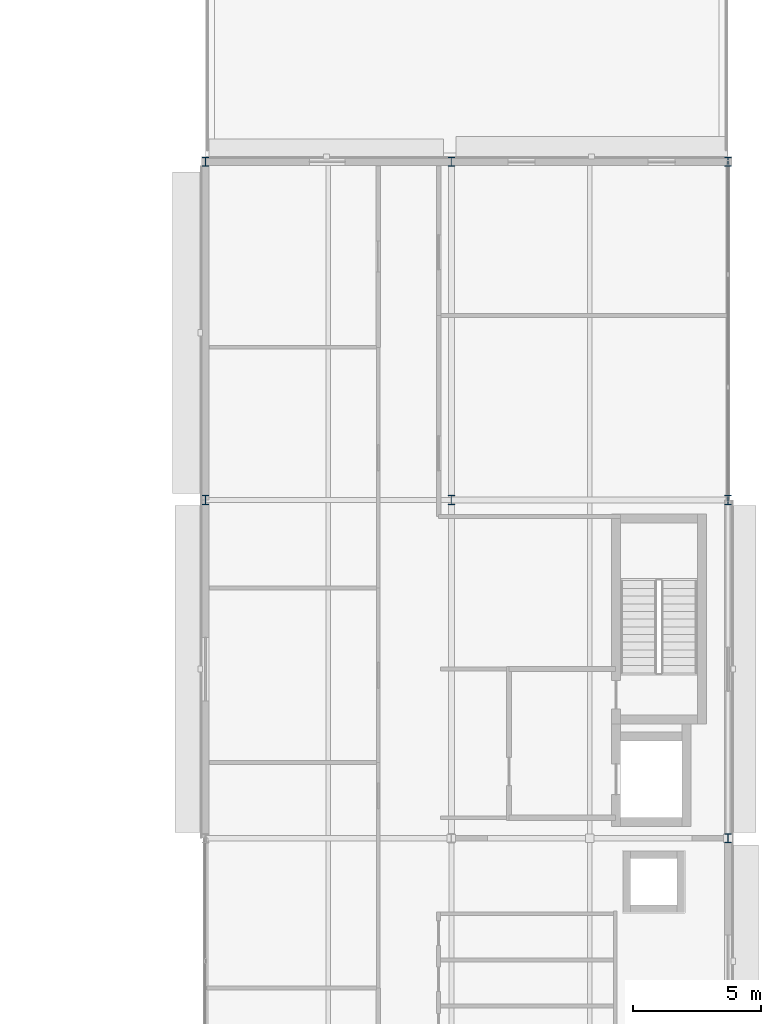
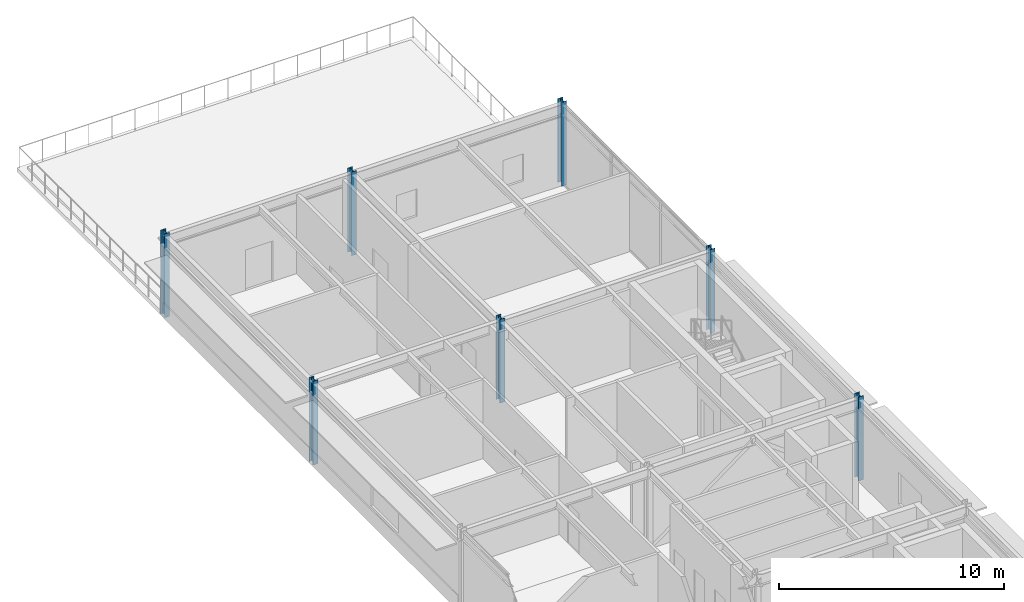
# One storey, part 2 of 22: 7 columns.
"""IFC4 building model written with IfcOpenShell, lengths in metres."""

from ifc_helpers import new_model, si_unit, direction, frame, origin, origin_2d, place, context, subcontext, project, spatial, i_section, extrude, material, material_profile, profile_set, type_object, element, save


model = new_model("IFC4")

# Units and contexts
model_context = context("Model", 3, precision=1e-05, world=origin(), true_north=direction((0.0, 1.0)))
body_context = subcontext(model_context, "Body", "Model", "MODEL_VIEW")
ifc_project = project(units=[si_unit("LENGTHUNIT", "METRE"), si_unit("AREAUNIT", "SQUARE_METRE"), si_unit("VOLUMEUNIT", "CUBIC_METRE"), si_unit("PLANEANGLEUNIT", "RADIAN"), si_unit("MASSUNIT", "GRAM", prefix="KILO")], contexts=[model_context])

# Site, building, storey
site_placement = place(None, origin())
site = spatial("IfcSite", under=ifc_project, at=site_placement, CompositionType="ELEMENT")
building_placement = place(site_placement, origin())
building = spatial("IfcBuilding", under=site, at=building_placement, Name="Almandine Court Research Institute", CompositionType="ELEMENT")
storey_placement = place(building_placement, frame((0.0, 0.0, 28.0)))
storey = spatial("IfcBuildingStorey", under=building, at=storey_placement, Name="L06", CompositionType="ELEMENT", Elevation=28.0)

# Columns
ifc_material = material(Name="Steel ASTM A992 Grade 50", Category="steel")
ifc_material_profile_1 = material_profile(ifc_material, i_section(OverallWidth=0.257080078125, OverallDepth=0.363037109375, WebThickness=0.012939453125, FlangeThickness=0.02197265625, at=origin_2d()), Name="W360x122")
ifc_profile_set_1 = profile_set([ifc_material_profile_1], Name="Steel ASTM A992 Grade 50")
column_type_1 = type_object("IfcColumnType", Name="Col-C-W05", PredefinedType="COLUMN", material=ifc_profile_set_1)
for number, where, z_axis, x_axis, name in (
    (1, (153.60009765625, 57.60009765625, 0.0), (0.0, 0.0, 1.0), (1.0, 0.0, 0.0), "L06 V4 Column V4-X2Y6"),
    (2, (153.60009765625, 70.800048828125, 0.0), (0.0, 0.0, 1.0), (1.0, 0.0, 0.0), "L06 V4 Column V4-X2Y7"),
    (3, (163.199951171875, 57.60009765625, 0.0), (0.0, 0.0, 1.0), (1.0, 0.0, 0.0), "L06 V4 Column V4-X3Y6"),
    (4, (163.199951171875, 70.800048828125, 0.0), (0.0, 0.0, 1.0), (1.0, 0.0, 0.0), "L06 V4 Column V4-X3Y7"),
):
    element("IfcColumn", number, at=place(storey_placement, frame(where, z_axis=z_axis, x_axis=x_axis)), inside=storey, type_object=column_type_1, Name=name, PredefinedType="COLUMN", context=body_context, shape_type="SweptSolid", body=[
        extrude(i_section(OverallWidth=0.257080078125, OverallDepth=0.363037109375, WebThickness=0.012939453125, FlangeThickness=0.02197265625, at=origin_2d()), origin(), (0.0, 0.0, 1.0), 4.550048828125),
    ])
ifc_material_profile_2 = material_profile(ifc_material, i_section(OverallWidth=0.257080078125, OverallDepth=0.363037109375, WebThickness=0.012939453125, FlangeThickness=0.02197265625, at=origin_2d()), Name="W360x122")
ifc_profile_set_2 = profile_set([ifc_material_profile_2], Name="Steel ASTM A992 Grade 50")
column_type_2 = type_object("IfcColumnType", Name="Col-C-W05-E", PredefinedType="COLUMN", material=ifc_profile_set_2)
for number, where, z_axis, x_axis, name in (
    (5, (174.0, 44.39990234375, 0.0), (0.0, 0.0, 1.0), (1.0, 0.0, 0.0), "L06 V4 Column V4-X4Y5"),
    (6, (174.0, 57.60009765625, 0.0), (0.0, 0.0, 1.0), (1.0, 0.0, 0.0), "L06 V4 Column V4-X4Y6"),
    (7, (174.0, 70.800048828125, 0.0), (0.0, 0.0, 1.0), (1.0, 0.0, 0.0), "L06 V4 Column V4-X4Y7"),
):
    element("IfcColumn", number, at=place(storey_placement, frame(where, z_axis=z_axis, x_axis=x_axis)), inside=storey, type_object=column_type_2, Name=name, PredefinedType="COLUMN", context=body_context, shape_type="SweptSolid", body=[
        extrude(i_section(OverallWidth=0.257080078125, OverallDepth=0.363037109375, WebThickness=0.012939453125, FlangeThickness=0.02197265625, at=origin_2d()), origin(), (0.0, 0.0, 1.0), 4.550048828125),
    ])

save(model, "model.ifc")
